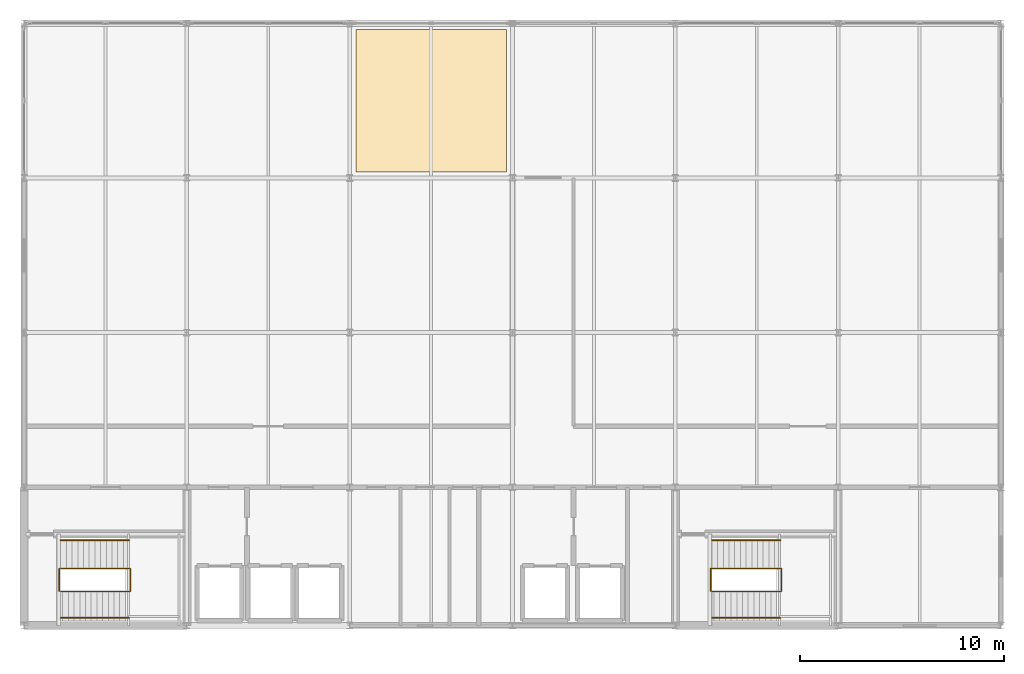
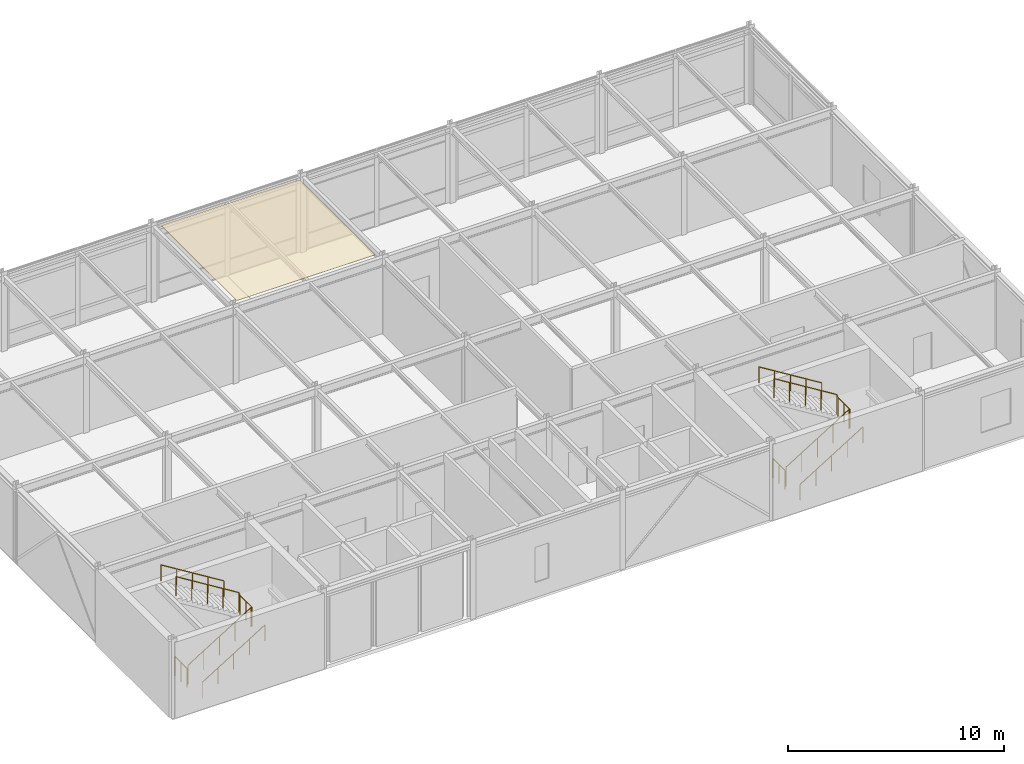
# One storey, part 12 of 12: 8 railings, 1 covering.
"""IFC4 building model written with IfcOpenShell, lengths in metres."""

from ifc_helpers import new_model, si_unit, direction, frame, origin, origin_2d, place, context, subcontext, project, spatial, polyline, circle, outline, extrude, material, layer, layer_set, type_object, element, save


model = new_model("IFC4")

# Units and contexts
model_context = context("Model", 3, precision=1e-05, world=origin(), true_north=direction((0.0, 1.0)))
body_context = subcontext(model_context, "Body", "Model", "MODEL_VIEW")
ifc_project = project(units=[si_unit("LENGTHUNIT", "METRE"), si_unit("AREAUNIT", "SQUARE_METRE"), si_unit("VOLUMEUNIT", "CUBIC_METRE"), si_unit("PLANEANGLEUNIT", "RADIAN"), si_unit("MASSUNIT", "GRAM", prefix="KILO")], contexts=[model_context])

# Site, building, storey
site_placement = place(None, origin())
site = spatial("IfcSite", under=ifc_project, at=site_placement, CompositionType="ELEMENT")
building_placement = place(site_placement, origin())
building = spatial("IfcBuilding", under=site, at=building_placement, Name="Shalkamar Park Central Library", CompositionType="ELEMENT")
storey_placement = place(building_placement, frame((0.0, 0.0, 67.800048828125)))
storey = spatial("IfcBuildingStorey", under=building, at=storey_placement, Name="L17", CompositionType="ELEMENT", Elevation=67.800048828125)

# Covering
ifc_material_1 = material(Name="Acoustic mineral fibre ceiling panel", Category="other")
ifc_layer = layer(ifc_material_1, 0.02490234375)
ifc_layer_set = layer_set([ifc_layer], Name="AcousticMineralCeilingTile")
covering_type = type_object("IfcCoveringType", Name="Acoustic Mineral Ceiling Tile", PredefinedType="CEILING", material=ifc_layer_set)
covering_placement = place(storey_placement, frame((0.0, 0.0, 4.27490234375)))
element("IfcCovering", 1, at=covering_placement, inside=storey, type_object=covering_type, Name="Acoustic Reading Ceiling Panel L17", PredefinedType="CEILING", context=body_context, shape_type="SweptSolid", body=[
    extrude(outline(polyline([(181.300048828125, 270.699951171875), (188.699951171875, 270.699951171875), (188.699951171875, 277.699951171875), (181.300048828125, 277.699951171875), (181.300048828125, 270.699951171875)])), origin(), (0.0, 0.0, 1.0), 0.025146484375),
])

# Railings
ifc_material_2 = material(Name="Steel S355", Category="steel")
railing_type_1 = type_object("IfcRailingType", Name="Stair Guardrail 1100", PredefinedType="GUARDRAIL", material=ifc_material_2)
railing_1_placement = place(storey_placement, frame((166.800048828125, 250.090087890625, 0.173095703125)))
element("IfcRailing", 2, at=railing_1_placement, inside=storey, type_object=railing_type_1, Name="Stair Inner Well Guardrail ST-T1-L17", PredefinedType="GUARDRAIL", context=body_context, shape_type="SweptSolid", body=[
    extrude(circle(Radius=0.02392578125, at=origin_2d()), frame((0.0, 0.0, 1.076171875), z_axis=(0.850606129759, 0.0, 0.525803396734), x_axis=(0.0, 1.0, 0.0)), (0.0, 0.0, 1.0), 3.949951171875),
    extrude(circle(Radius=0.02392578125, at=origin_2d()), frame((3.35986328125, 0.0, 3.15283203125), z_axis=(1.0, 0.0, 0.0), x_axis=(0.0, 1.0, 0.0)), (0.0, 0.0, 1.0), 0.06005859375),
    extrude(circle(Radius=0.02392578125, at=origin_2d()), frame((3.419921875, 0.0, 3.15283203125), z_axis=(0.0, 1.0, 0.0), x_axis=(-1.0, 0.0, 0.0)), (0.0, 0.0, 1.0), 1.119873046875),
    extrude(circle(Radius=0.02392578125, at=origin_2d()), frame((3.419921875, 1.119873046875, 3.15283203125), z_axis=(-0.327796974437, 0.0, 0.944748190551), x_axis=(0.0, -1.0, 0.0)), (0.0, 0.0, 1.0), 0.18310546875),
    extrude(circle(Radius=0.02392578125, at=origin_2d()), frame((3.35986328125, 1.119873046875, 3.326171875), z_axis=(-0.850606129759, 0.0, 0.525803396734), x_axis=(0.0, -1.0, 0.0)), (0.0, 0.0, 1.0), 3.949951171875),
    extrude(circle(Radius=0.02099609375, at=origin_2d()), origin(), (0.0, 0.0, 1.0), 1.052001953125),
    extrude(circle(Radius=0.02099609375, at=origin_2d()), frame((0.83984375, 0.0, 0.519287109375)), (0.0, 0.0, 1.0), 1.052001953125),
    extrude(circle(Radius=0.02099609375, at=origin_2d()), frame((1.679931640625, 0.0, 1.03857421875)), (0.0, 0.0, 1.0), 1.052001953125),
    extrude(circle(Radius=0.02099609375, at=origin_2d()), frame((2.52001953125, 0.0, 1.5576171875)), (0.0, 0.0, 1.0), 1.052001953125),
    extrude(circle(Radius=0.02099609375, at=origin_2d()), frame((3.35986328125, 0.0, 2.076904296875)), (0.0, 0.0, 1.0), 1.052001953125),
    extrude(circle(Radius=0.02099609375, at=origin_2d()), frame((3.419921875, 0.0, 2.076904296875)), (0.0, 0.0, 1.0), 1.052001953125),
    extrude(circle(Radius=0.02099609375, at=origin_2d()), frame((3.419921875, 0.56005859375, 2.076904296875)), (0.0, 0.0, 1.0), 1.052001953125),
    extrude(circle(Radius=0.02099609375, at=origin_2d()), frame((3.419921875, 1.119873046875, 2.076904296875)), (0.0, 0.0, 1.0), 1.052001953125),
    extrude(circle(Radius=0.02099609375, at=origin_2d()), frame((3.35986328125, 1.119873046875, 2.25)), (0.0, 0.0, 1.0), 1.052001953125),
    extrude(circle(Radius=0.02099609375, at=origin_2d()), frame((2.52001953125, 1.119873046875, 2.769287109375)), (0.0, 0.0, 1.0), 1.052001953125),
    extrude(circle(Radius=0.02099609375, at=origin_2d()), frame((1.679931640625, 1.119873046875, 3.28857421875)), (0.0, 0.0, 1.0), 1.052001953125),
    extrude(circle(Radius=0.02099609375, at=origin_2d()), frame((0.83984375, 1.119873046875, 3.8076171875)), (0.0, 0.0, 1.0), 1.052001953125),
    extrude(circle(Radius=0.02099609375, at=origin_2d()), frame((0.0, 1.119873046875, 4.326904296875)), (0.0, 0.0, 1.0), 1.052001953125),
])
railing_2_placement = place(storey_placement, frame((166.739990234375, 250.10009765625, 0.0)))
element("IfcRailing", 3, at=railing_2_placement, inside=storey, type_object=railing_type_1, Name="Stair Arrival Well Guardrail ST-T1 (L17)", PredefinedType="GUARDRAIL", context=body_context, shape_type="SweptSolid", body=[
    extrude(circle(Radius=0.02392578125, at=origin_2d()), frame((0.0, 0.0, 1.076171875), z_axis=(0.0, 1.0, 0.0), x_axis=(-1.0, 0.0, 0.0)), (0.0, 0.0, 1.0), 1.099853515625),
    extrude(circle(Radius=0.02099609375, at=origin_2d()), origin(), (0.0, 0.0, 1.0), 1.052001953125),
    extrude(circle(Radius=0.02099609375, at=origin_2d()), frame((0.0, 0.5498046875, 0.0)), (0.0, 0.0, 1.0), 1.052001953125),
    extrude(circle(Radius=0.02099609375, at=origin_2d()), frame((0.0, 1.099853515625, 0.0)), (0.0, 0.0, 1.0), 1.052001953125),
])
railing_3_placement = place(storey_placement, frame((198.800048828125, 250.090087890625, 0.173095703125)))
element("IfcRailing", 4, at=railing_3_placement, inside=storey, type_object=railing_type_1, Name="Stair Inner Well Guardrail ST-T2-L17", PredefinedType="GUARDRAIL", context=body_context, shape_type="SweptSolid", body=[
    extrude(circle(Radius=0.02392578125, at=origin_2d()), frame((0.0, 0.0, 1.076171875), z_axis=(0.850606129759, 0.0, 0.525803396734), x_axis=(0.0, 1.0, 0.0)), (0.0, 0.0, 1.0), 3.949951171875),
    extrude(circle(Radius=0.02392578125, at=origin_2d()), frame((3.35986328125, 0.0, 3.15283203125), z_axis=(1.0, 0.0, 0.0), x_axis=(0.0, 1.0, 0.0)), (0.0, 0.0, 1.0), 0.06005859375),
    extrude(circle(Radius=0.02392578125, at=origin_2d()), frame((3.419921875, 0.0, 3.15283203125), z_axis=(0.0, 1.0, 0.0), x_axis=(-1.0, 0.0, 0.0)), (0.0, 0.0, 1.0), 1.119873046875),
    extrude(circle(Radius=0.02392578125, at=origin_2d()), frame((3.419921875, 1.119873046875, 3.15283203125), z_axis=(-0.327796974437, 0.0, 0.944748190551), x_axis=(0.0, -1.0, 0.0)), (0.0, 0.0, 1.0), 0.18310546875),
    extrude(circle(Radius=0.02392578125, at=origin_2d()), frame((3.35986328125, 1.119873046875, 3.326171875), z_axis=(-0.850606129759, 0.0, 0.525803396734), x_axis=(0.0, -1.0, 0.0)), (0.0, 0.0, 1.0), 3.949951171875),
    extrude(circle(Radius=0.02099609375, at=origin_2d()), origin(), (0.0, 0.0, 1.0), 1.052001953125),
    extrude(circle(Radius=0.02099609375, at=origin_2d()), frame((0.83984375, 0.0, 0.519287109375)), (0.0, 0.0, 1.0), 1.052001953125),
    extrude(circle(Radius=0.02099609375, at=origin_2d()), frame((1.679931640625, 0.0, 1.03857421875)), (0.0, 0.0, 1.0), 1.052001953125),
    extrude(circle(Radius=0.02099609375, at=origin_2d()), frame((2.52001953125, 0.0, 1.5576171875)), (0.0, 0.0, 1.0), 1.052001953125),
    extrude(circle(Radius=0.02099609375, at=origin_2d()), frame((3.35986328125, 0.0, 2.076904296875)), (0.0, 0.0, 1.0), 1.052001953125),
    extrude(circle(Radius=0.02099609375, at=origin_2d()), frame((3.419921875, 0.0, 2.076904296875)), (0.0, 0.0, 1.0), 1.052001953125),
    extrude(circle(Radius=0.02099609375, at=origin_2d()), frame((3.419921875, 0.56005859375, 2.076904296875)), (0.0, 0.0, 1.0), 1.052001953125),
    extrude(circle(Radius=0.02099609375, at=origin_2d()), frame((3.419921875, 1.119873046875, 2.076904296875)), (0.0, 0.0, 1.0), 1.052001953125),
    extrude(circle(Radius=0.02099609375, at=origin_2d()), frame((3.35986328125, 1.119873046875, 2.25)), (0.0, 0.0, 1.0), 1.052001953125),
    extrude(circle(Radius=0.02099609375, at=origin_2d()), frame((2.52001953125, 1.119873046875, 2.769287109375)), (0.0, 0.0, 1.0), 1.052001953125),
    extrude(circle(Radius=0.02099609375, at=origin_2d()), frame((1.679931640625, 1.119873046875, 3.28857421875)), (0.0, 0.0, 1.0), 1.052001953125),
    extrude(circle(Radius=0.02099609375, at=origin_2d()), frame((0.83984375, 1.119873046875, 3.8076171875)), (0.0, 0.0, 1.0), 1.052001953125),
    extrude(circle(Radius=0.02099609375, at=origin_2d()), frame((0.0, 1.119873046875, 4.326904296875)), (0.0, 0.0, 1.0), 1.052001953125),
])
railing_4_placement = place(storey_placement, frame((198.739990234375, 250.10009765625, 0.0)))
element("IfcRailing", 5, at=railing_4_placement, inside=storey, type_object=railing_type_1, Name="Stair Arrival Well Guardrail ST-T2 (L17)", PredefinedType="GUARDRAIL", context=body_context, shape_type="SweptSolid", body=[
    extrude(circle(Radius=0.02392578125, at=origin_2d()), frame((0.0, 0.0, 1.076171875), z_axis=(0.0, 1.0, 0.0), x_axis=(-1.0, 0.0, 0.0)), (0.0, 0.0, 1.0), 1.099853515625),
    extrude(circle(Radius=0.02099609375, at=origin_2d()), origin(), (0.0, 0.0, 1.0), 1.052001953125),
    extrude(circle(Radius=0.02099609375, at=origin_2d()), frame((0.0, 0.5498046875, 0.0)), (0.0, 0.0, 1.0), 1.052001953125),
    extrude(circle(Radius=0.02099609375, at=origin_2d()), frame((0.0, 1.099853515625, 0.0)), (0.0, 0.0, 1.0), 1.052001953125),
])
railing_type_2 = type_object("IfcRailingType", Name="Stair Pitched Handrail 920", PredefinedType="HANDRAIL", material=ifc_material_2)
railing_5_placement = place(storey_placement, frame((166.800048828125, 248.780029296875, 0.173095703125)))
element("IfcRailing", 6, at=railing_5_placement, inside=storey, type_object=railing_type_2, Name="Stair Wall Handrail ST-T1-L17 Flight 1", PredefinedType="HANDRAIL", context=body_context, shape_type="SweptSolid", body=[
    extrude(circle(Radius=0.02392578125, at=origin_2d()), frame((0.0, 0.0, 0.89599609375), z_axis=(0.850606129759, 0.0, 0.525803396734), x_axis=(0.0, 1.0, 0.0)), (0.0, 0.0, 1.0), 3.949951171875),
    extrude(circle(Radius=0.02099609375, at=origin_2d()), origin(), (0.0, 0.0, 1.0), 0.871826171875),
    extrude(circle(Radius=0.02099609375, at=origin_2d()), frame((0.83984375, 0.0, 0.519287109375)), (0.0, 0.0, 1.0), 0.871826171875),
    extrude(circle(Radius=0.02099609375, at=origin_2d()), frame((1.679931640625, 0.0, 1.03857421875)), (0.0, 0.0, 1.0), 0.871826171875),
    extrude(circle(Radius=0.02099609375, at=origin_2d()), frame((2.52001953125, 0.0, 1.5576171875)), (0.0, 0.0, 1.0), 0.871826171875),
    extrude(circle(Radius=0.02099609375, at=origin_2d()), frame((3.35986328125, 0.0, 2.076904296875)), (0.0, 0.0, 1.0), 0.871826171875),
])
railing_6_placement = place(storey_placement, frame((170.159912109375, 252.60009765625, 2.423095703125)))
element("IfcRailing", 7, at=railing_6_placement, inside=storey, type_object=railing_type_2, Name="Stair Wall Handrail ST-T1-L17 Flight 2", PredefinedType="HANDRAIL", context=body_context, shape_type="SweptSolid", body=[
    extrude(circle(Radius=0.02392578125, at=origin_2d()), frame((0.0, 0.0, 0.89599609375), z_axis=(-0.850606129759, 0.0, 0.525803396734), x_axis=(0.0, -1.0, 0.0)), (0.0, 0.0, 1.0), 3.949951171875),
    extrude(circle(Radius=0.02099609375, at=origin_2d()), origin(), (0.0, 0.0, 1.0), 0.871826171875),
    extrude(circle(Radius=0.02099609375, at=origin_2d()), frame((-0.83984375, 0.0, 0.519287109375)), (0.0, 0.0, 1.0), 0.871826171875),
    extrude(circle(Radius=0.02099609375, at=origin_2d()), frame((-1.679931640625, 0.0, 1.03857421875)), (0.0, 0.0, 1.0), 0.871826171875),
    extrude(circle(Radius=0.02099609375, at=origin_2d()), frame((-2.52001953125, 0.0, 1.5576171875)), (0.0, 0.0, 1.0), 0.871826171875),
    extrude(circle(Radius=0.02099609375, at=origin_2d()), frame((-3.35986328125, 0.0, 2.076904296875)), (0.0, 0.0, 1.0), 0.871826171875),
])
railing_7_placement = place(storey_placement, frame((198.800048828125, 248.780029296875, 0.173095703125)))
element("IfcRailing", 8, at=railing_7_placement, inside=storey, type_object=railing_type_2, Name="Stair Wall Handrail ST-T2-L17 Flight 1", PredefinedType="HANDRAIL", context=body_context, shape_type="SweptSolid", body=[
    extrude(circle(Radius=0.02392578125, at=origin_2d()), frame((0.0, 0.0, 0.89599609375), z_axis=(0.850606129759, 0.0, 0.525803396734), x_axis=(0.0, 1.0, 0.0)), (0.0, 0.0, 1.0), 3.949951171875),
    extrude(circle(Radius=0.02099609375, at=origin_2d()), origin(), (0.0, 0.0, 1.0), 0.871826171875),
    extrude(circle(Radius=0.02099609375, at=origin_2d()), frame((0.83984375, 0.0, 0.519287109375)), (0.0, 0.0, 1.0), 0.871826171875),
    extrude(circle(Radius=0.02099609375, at=origin_2d()), frame((1.679931640625, 0.0, 1.03857421875)), (0.0, 0.0, 1.0), 0.871826171875),
    extrude(circle(Radius=0.02099609375, at=origin_2d()), frame((2.52001953125, 0.0, 1.5576171875)), (0.0, 0.0, 1.0), 0.871826171875),
    extrude(circle(Radius=0.02099609375, at=origin_2d()), frame((3.35986328125, 0.0, 2.076904296875)), (0.0, 0.0, 1.0), 0.871826171875),
])
railing_8_placement = place(storey_placement, frame((202.159912109375, 252.60009765625, 2.423095703125)))
element("IfcRailing", 9, at=railing_8_placement, inside=storey, type_object=railing_type_2, Name="Stair Wall Handrail ST-T2-L17 Flight 2", PredefinedType="HANDRAIL", context=body_context, shape_type="SweptSolid", body=[
    extrude(circle(Radius=0.02392578125, at=origin_2d()), frame((0.0, 0.0, 0.89599609375), z_axis=(-0.850606129759, 0.0, 0.525803396734), x_axis=(0.0, -1.0, 0.0)), (0.0, 0.0, 1.0), 3.949951171875),
    extrude(circle(Radius=0.02099609375, at=origin_2d()), origin(), (0.0, 0.0, 1.0), 0.871826171875),
    extrude(circle(Radius=0.02099609375, at=origin_2d()), frame((-0.83984375, 0.0, 0.519287109375)), (0.0, 0.0, 1.0), 0.871826171875),
    extrude(circle(Radius=0.02099609375, at=origin_2d()), frame((-1.679931640625, 0.0, 1.03857421875)), (0.0, 0.0, 1.0), 0.871826171875),
    extrude(circle(Radius=0.02099609375, at=origin_2d()), frame((-2.52001953125, 0.0, 1.5576171875)), (0.0, 0.0, 1.0), 0.871826171875),
    extrude(circle(Radius=0.02099609375, at=origin_2d()), frame((-3.35986328125, 0.0, 2.076904296875)), (0.0, 0.0, 1.0), 0.871826171875),
])

save(model, "model.ifc")
